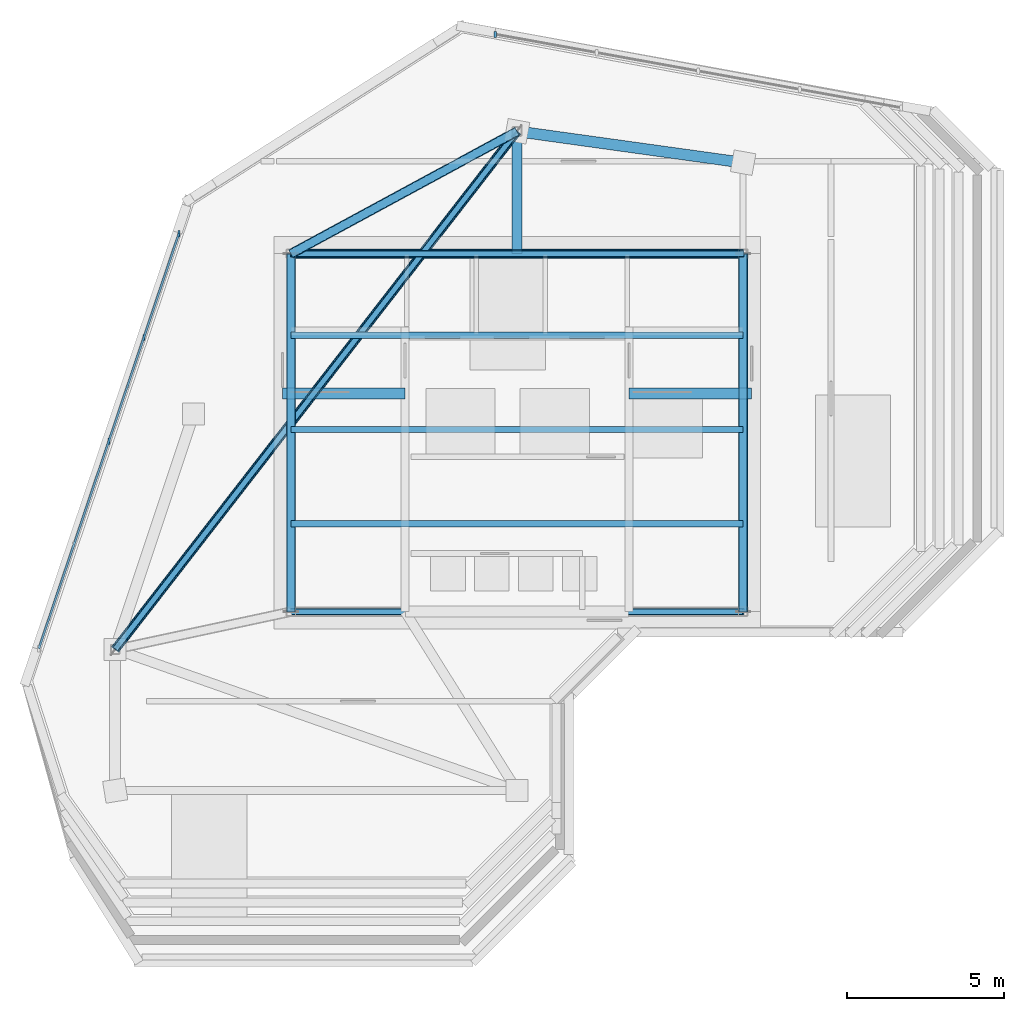
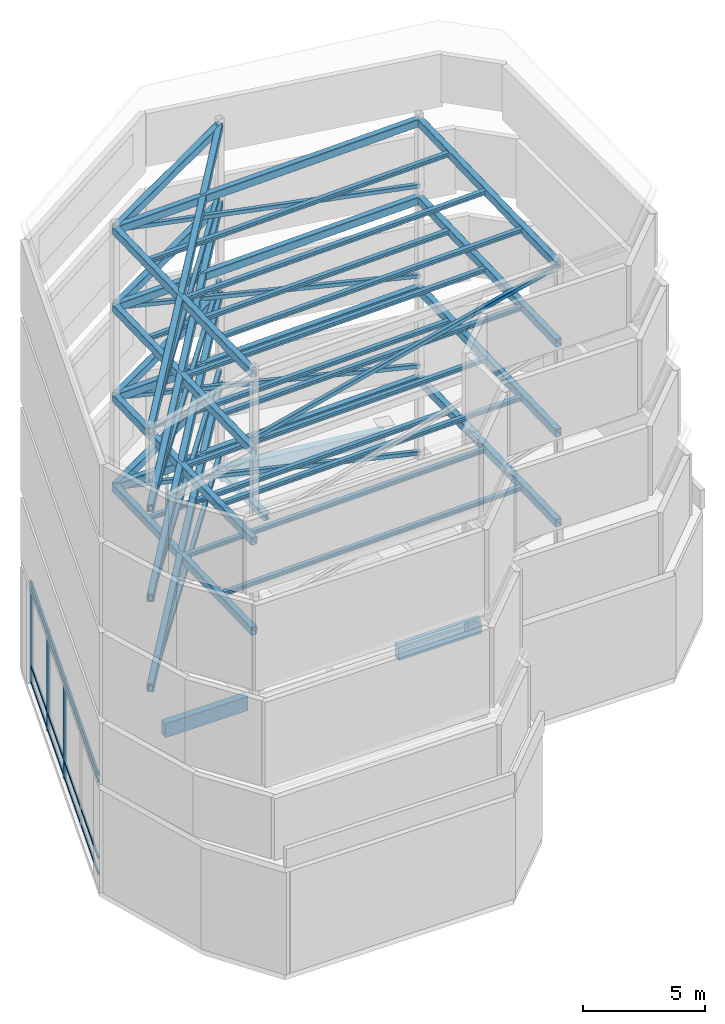
# One storey, part 2 of 9: 29 members, 24 beams, 2 elements without a shape of their own.
"""IFC4 building model written with IfcOpenShell, lengths in metres."""

from ifc_helpers import new_model, si_unit, direction, frame, origin, origin_2d, place, context, subcontext, project, spatial, rectangle, hollow_rectangle, i_section, extrude, source, transform, mapped, material, material_profile, profile_set, type_object, element, aggregate, save


model = new_model("IFC4")

# Units and contexts
model_context = context("Model", 3, precision=1e-05, world=origin(), true_north=direction((0.0, 1.0)))
body_context = subcontext(model_context, "Body", "Model", "MODEL_VIEW")
ifc_project = project(units=[si_unit("LENGTHUNIT", "METRE"), si_unit("AREAUNIT", "SQUARE_METRE"), si_unit("VOLUMEUNIT", "CUBIC_METRE"), si_unit("PLANEANGLEUNIT", "RADIAN"), si_unit("MASSUNIT", "GRAM", prefix="KILO")], contexts=[model_context])

# Site, building, storey
site_placement = place(None, origin())
site = spatial("IfcSite", under=ifc_project, at=site_placement, CompositionType="ELEMENT")
building_placement = place(site_placement, origin())
building = spatial("IfcBuilding", under=site, at=building_placement, Name="Calvemar Wedge Station Tower", CompositionType="ELEMENT")
storey_placement = place(building_placement, frame((0.0, 0.0, 309.5)))
storey = spatial("IfcBuildingStorey", under=building, at=storey_placement, Name="L79", CompositionType="ELEMENT", Elevation=309.5)

# Beams
ifc_material_1 = material(Name="Structural steel ASTM A572 Grade 50", Category="steel")
ifc_material_profile_1 = material_profile(ifc_material_1, i_section(OverallWidth=0.30908203125, OverallDepth=0.322998046875, WebThickness=0.013916015625, FlangeThickness=0.02294921875, FilletRadius=0.014892578125, at=origin_2d()), Name="W310x143")
ifc_profile_set_1 = profile_set([ifc_material_profile_1], Name="Structural steel ASTM A572 Grade 50")
beam_type_1 = type_object("IfcBeamType", Name="BM-J5-W310H", PredefinedType="JOIST", material=ifc_profile_set_1)
shared_shape_1 = source(origin(), body_context, "Body", "SweptSolid", [
    extrude(i_section(OverallWidth=0.30908203125, OverallDepth=0.322998046875, WebThickness=0.013916015625, FlangeThickness=0.02294921875, FilletRadius=0.014892578125, at=origin_2d()), origin(), (0.0, 0.0, 1.0), 3.89990234375),
])
beam_1_placement = place(storey_placement, frame((23.800048828125, 45.60009765625, 4.9384765625), z_axis=(0.0, 1.0, 0.0), x_axis=(-1.0, 0.0, 0.0)))
element("IfcBeam", 1, at=beam_1_placement, inside=storey, type_object=beam_type_1, Name="Storey L79 Core-to-Column Joist CJ-N1", PredefinedType="JOIST", context=body_context, shape_type="MappedRepresentation", body=[
    mapped(shared_shape_1, transform((0.0, 0.0, 0.0), scale=1.0)),
])
ifc_material_2 = material(Name="Concrete C50", Category="concrete")
ifc_material_profile_2 = material_profile(ifc_material_2, rectangle(XDim=0.35009765625, YDim=0.699951171875, at=origin_2d()), Name="RC350x700")
ifc_profile_set_2 = profile_set([ifc_material_profile_2], Name="Concrete C50")
beam_type_2 = type_object("IfcBeamType", Name="BM-SP2-700", PredefinedType="SPANDREL", material=ifc_profile_set_2)
shared_shape_2 = source(origin(), body_context, "Body", "SweptSolid", [
    extrude(rectangle(XDim=0.35009765625, YDim=0.699951171875, at=origin_2d()), origin(), (0.0, 0.0, 1.0), 7.26904296875),
])
beam_2_placement = place(storey_placement, frame((23.800048828125, 49.5, 4.75), z_axis=(0.990492146053, -0.13756928657, 0.0), x_axis=(0.13756928657, 0.990492146053, 0.0)))
element("IfcBeam", 2, at=beam_2_placement, inside=storey, type_object=beam_type_2, Name="Storey L79 Spandrel T-N1-T-N2", PredefinedType="SPANDREL", context=body_context, shape_type="MappedRepresentation", body=[
    mapped(shared_shape_2, transform((0.0, 0.0, 0.0), scale=1.0)),
])
ifc_material_3 = material(Name="Concrete C70", Category="concrete")
ifc_material_profile_3 = material_profile(ifc_material_3, rectangle(XDim=0.35009765625, YDim=0.699951171875, at=origin_2d()), Name="RC350x700")
ifc_profile_set_3 = profile_set([ifc_material_profile_3], Name="Concrete C70")
beam_type_3 = type_object("IfcBeamType", Name="BM-LN1-700", PredefinedType="LINTEL", material=ifc_profile_set_3)
shared_shape_3 = source(origin(), body_context, "Body", "SweptSolid", [
    extrude(rectangle(XDim=0.35009765625, YDim=0.699951171875, at=origin_2d()), origin(), (0.0, 0.0, 1.0), 3.905029296875),
])
beam_3_placement = place(storey_placement, frame((16.324951171875, 41.14990234375, -0.35009765625), z_axis=(1.0, 0.0, 0.0), x_axis=(0.0, 1.0, 0.0)))
element("IfcBeam", 3, at=beam_3_placement, inside=storey, type_object=beam_type_3, Name="Storey L79 Stair ST-C1 Landing Trimmer Beam", PredefinedType="LINTEL", context=body_context, shape_type="MappedRepresentation", body=[
    mapped(shared_shape_3, transform((0.0, 0.0, 0.0), scale=1.0)),
])
shared_shape_4 = source(origin(), body_context, "Body", "SweptSolid", [
    extrude(rectangle(XDim=0.35009765625, YDim=0.699951171875, at=origin_2d()), origin(), (0.0, 0.0, 1.0), 3.90478515625),
])
beam_4_placement = place(storey_placement, frame((27.3701171875, 41.14990234375, -0.35009765625), z_axis=(1.0, 0.0, 0.0), x_axis=(0.0, 1.0, 0.0)))
element("IfcBeam", 4, at=beam_4_placement, inside=storey, type_object=beam_type_3, Name="Storey L79 Stair ST-C2 Landing Trimmer Beam", PredefinedType="LINTEL", context=body_context, shape_type="MappedRepresentation", body=[
    mapped(shared_shape_4, transform((0.0, 0.0, 0.0), scale=1.0)),
])
ifc_material_profile_4 = material_profile(ifc_material_1, hollow_rectangle(XDim=0.300048828125, YDim=0.39990234375, WallThickness=0.02001953125, InnerFilletRadius=0.02001953125, OuterFilletRadius=0.0400390625, at=origin_2d()), Name="HSS400x300x20")
ifc_profile_set_4 = profile_set([ifc_material_profile_4], Name="Structural steel ASTM A572 Grade 50")
beam_type_4 = type_object("IfcBeamType", Name="BM-CROWN-HSS400", PredefinedType="BEAM", material=ifc_profile_set_4)
shared_shape_5 = source(origin(), body_context, "Body", "SweptSolid", [
    extrude(hollow_rectangle(XDim=0.300048828125, YDim=0.39990234375, WallThickness=0.02001953125, InnerFilletRadius=0.02001953125, OuterFilletRadius=0.0400390625, at=origin_2d()), origin(), (0.0, 0.0, 1.0), 14.404541015625),
])
for number, where, z_axis, x_axis, name in (
    (5, (31.0, 45.60009765625, 9.320556640625), (-0.999685759168, 0.0, -0.025067567017), (0.0, -1.0, 0.0), "CROWN FRAME Tier 1 Ring Cap Beam 3"),
    (6, (31.0, 45.60009765625, 13.828369140625), (-0.999672888088, 0.0, -0.025575707642), (0.0, -1.0, 0.0), "CROWN FRAME Tier 2 Ring Cap Beam 3"),
):
    element("IfcBeam", number, at=place(storey_placement, frame(where, z_axis=z_axis, x_axis=x_axis)), inside=storey, type_object=beam_type_4, Name=name, PredefinedType="BEAM", context=body_context, shape_type="MappedRepresentation", body=[
        mapped(shared_shape_5, transform((0.0, 0.0, 0.0), scale=1.0)),
    ])
shared_shape_6 = source(origin(), body_context, "Body", "SweptSolid", [
    extrude(hollow_rectangle(XDim=0.300048828125, YDim=0.39990234375, WallThickness=0.02001953125, InnerFilletRadius=0.02001953125, OuterFilletRadius=0.0400390625, at=origin_2d()), origin(), (0.0, 0.0, 1.0), 11.40380859375),
])
for number, where, z_axis, x_axis, name in (
    (7, (31.0, 34.199951171875, 9.03466796875), (0.0, 0.999685704435, 0.02506974965), (-1.0, 0.0, 0.0), "CROWN FRAME Tier 1 Ring Cap Beam 2"),
    (8, (16.60009765625, 34.199951171875, 8.673583984375), (0.0, 0.999685704435, 0.02506974965), (-1.0, 0.0, 0.0), "CROWN FRAME Tier 1 West Support Girder"),
    (9, (31.0, 34.199951171875, 13.536865234375), (0.0, 0.999673242929, 0.025561834288), (-1.0, 0.0, 0.0), "CROWN FRAME Tier 2 Ring Cap Beam 2"),
    (10, (16.60009765625, 34.199951171875, 13.16845703125), (0.0, 0.999673242929, 0.025561834288), (-1.0, 0.0, 0.0), "CROWN FRAME Tier 2 West Support Girder"),
):
    element("IfcBeam", number, at=place(storey_placement, frame(where, z_axis=z_axis, x_axis=x_axis)), inside=storey, type_object=beam_type_4, Name=name, PredefinedType="BEAM", context=body_context, shape_type="MappedRepresentation", body=[
        mapped(shared_shape_6, transform((0.0, 0.0, 0.0), scale=1.0)),
    ])

# Member
ifc_material_profile_5 = material_profile(ifc_material_1, hollow_rectangle(XDim=0.199951171875, YDim=0.199951171875, WallThickness=0.012451171875, InnerFilletRadius=0.012451171875, OuterFilletRadius=0.02490234375, at=origin_2d()), Name="HSS200x200x12.5")
ifc_profile_set_5 = profile_set([ifc_material_profile_5], Name="Structural steel ASTM A572 Grade 50")
member_type_1 = type_object("IfcMemberType", Name="MEM-CROWN-BR", PredefinedType="BRACE", material=ifc_profile_set_5)
shared_shape_7 = source(origin(), body_context, "Body", "SweptSolid", [
    extrude(hollow_rectangle(XDim=0.199951171875, YDim=0.199951171875, WallThickness=0.012451171875, InnerFilletRadius=0.012451171875, OuterFilletRadius=0.02490234375, at=origin_2d()), origin(), (0.0, 0.0, 1.0), 14.775390625),
])
member_1_placement = place(storey_placement, frame((31.0, 45.60009765625, 5.64990234375), z_axis=(-0.974590763711, 0.0, 0.223992953661), x_axis=(0.0, -1.0, 0.0)))
element("IfcMember", 11, at=member_1_placement, inside=storey, type_object=member_type_1, Name="CROWN FRAME Tier 1 Wind Brace 3", PredefinedType="BRACE", context=body_context, shape_type="MappedRepresentation", body=[
    mapped(shared_shape_7, transform((0.0, 0.0, 0.0), scale=1.0)),
])

# Beams
shared_shape_8 = source(origin(), body_context, "Body", "SweptSolid", [
    extrude(hollow_rectangle(XDim=0.300048828125, YDim=0.39990234375, WallThickness=0.02001953125, InnerFilletRadius=0.02001953125, OuterFilletRadius=0.0400390625, at=origin_2d()), origin(), (0.0, 0.0, 1.0), 8.193115234375),
])
beam_5_placement = place(storey_placement, frame((16.60009765625, 45.60009765625, 8.95947265625), z_axis=(0.878788116304, 0.47600153843, 0.033970311369), x_axis=(-0.47627642498, 0.879295608432, 0.0)))
element("IfcBeam", 12, at=beam_5_placement, inside=storey, type_object=beam_type_4, Name="CROWN FRAME Tier 1 Ring Cap Beam 4", PredefinedType="BEAM", context=body_context, shape_type="MappedRepresentation", body=[
    mapped(shared_shape_8, transform((0.0, 0.0, 0.0), scale=1.0)),
])
shared_shape_9 = source(origin(), body_context, "Body", "SweptSolid", [
    extrude(hollow_rectangle(XDim=0.300048828125, YDim=0.39990234375, WallThickness=0.02001953125, InnerFilletRadius=0.02001953125, OuterFilletRadius=0.0400390625, at=origin_2d()), origin(), (0.0, 0.0, 1.0), 20.895751953125),
])
beam_6_placement = place(storey_placement, frame((23.800048828125, 49.5, 9.23779296875), z_axis=(-0.61256811182, -0.789635569422, -0.035156448692), x_axis=(0.790124007503, -0.612947022807, 0.0)))
element("IfcBeam", 13, at=beam_6_placement, inside=storey, type_object=beam_type_4, Name="CROWN FRAME Tier 1 Ring Cap Beam 5", PredefinedType="BEAM", context=body_context, shape_type="MappedRepresentation", body=[
    mapped(shared_shape_9, transform((0.0, 0.0, 0.0), scale=1.0)),
])

# Members
shared_shape_10 = source(origin(), body_context, "Body", "SweptSolid", [
    extrude(hollow_rectangle(XDim=0.199951171875, YDim=0.199951171875, WallThickness=0.012451171875, InnerFilletRadius=0.012451171875, OuterFilletRadius=0.02490234375, at=origin_2d()), origin(), (0.0, 0.0, 1.0), 21.076904296875),
])
member_2_placement = place(storey_placement, frame((23.800048828125, 49.5, 5.64990234375), z_axis=(-0.607304511068, -0.782850484961, 0.13537484638), x_axis=(0.790124007503, -0.612947022807, 0.0)))
element("IfcMember", 14, at=member_2_placement, inside=storey, type_object=member_type_1, Name="CROWN FRAME Tier 1 Wind Brace 5", PredefinedType="BRACE", context=body_context, shape_type="MappedRepresentation", body=[
    mapped(shared_shape_10, transform((0.0, 0.0, 0.0), scale=1.0)),
])
ifc_material_profile_6 = material_profile(ifc_material_1, i_section(OverallWidth=0.202880859375, OverallDepth=0.202880859375, WebThickness=0.007080078125, FlangeThickness=0.010986328125, FilletRadius=0.010009765625, at=origin_2d()), Name="W200x46.1")
ifc_profile_set_6 = profile_set([ifc_material_profile_6], Name="Structural steel ASTM A572 Grade 50")
member_type_2 = type_object("IfcMemberType", Name="MEM-PR2-W200", PredefinedType="PURLIN", material=ifc_profile_set_6)
shared_shape_11 = source(origin(), body_context, "Body", "SweptSolid", [
    extrude(i_section(OverallWidth=0.202880859375, OverallDepth=0.202880859375, WebThickness=0.007080078125, FlangeThickness=0.010986328125, FilletRadius=0.010009765625, at=origin_2d()), origin(), (0.0, 0.0, 1.0), 14.404541015625),
])
for number, where, z_axis, x_axis, name in (
    (15, (16.60009765625, 37.0, 8.80224609375), (0.999685759168, 0.0, 0.025067567017), (0.0, 1.0, 0.0), "Crown Tier 1 Roof Steel Purlin 1"),
    (16, (16.60009765625, 40.0, 8.87744140625), (0.999685334288, 0.0, 0.025084505353), (0.0, 1.0, 0.0), "Crown Tier 1 Roof Steel Purlin 2"),
    (17, (16.60009765625, 43.0, 8.952880859375), (0.999685759168, 0.0, 0.025067567017), (0.0, 1.0, 0.0), "Crown Tier 1 Roof Steel Purlin 3"),
    (18, (16.60009765625, 37.0, 13.298583984375), (0.999672888088, 0.0, 0.025575707642), (0.0, 1.0, 0.0), "Crown Tier 2 Roof Steel Purlin 1"),
    (19, (16.60009765625, 40.0, 13.375244140625), (0.999672888088, 0.0, 0.025575707642), (0.0, 1.0, 0.0), "Crown Tier 2 Roof Steel Purlin 2"),
    (20, (16.60009765625, 43.0, 13.4521484375), (0.99967332128, 0.0, 0.025558769938), (0.0, 1.0, 0.0), "Crown Tier 2 Roof Steel Purlin 3"),
):
    element("IfcMember", number, at=place(storey_placement, frame(where, z_axis=z_axis, x_axis=x_axis)), inside=storey, type_object=member_type_2, Name=name, PredefinedType="PURLIN", context=body_context, shape_type="MappedRepresentation", body=[
        mapped(shared_shape_11, transform((0.0, 0.0, 0.0), scale=1.0)),
    ])
shared_shape_12 = source(origin(), body_context, "Body", "SweptSolid", [
    extrude(hollow_rectangle(XDim=0.199951171875, YDim=0.199951171875, WallThickness=0.012451171875, InnerFilletRadius=0.012451171875, OuterFilletRadius=0.02490234375, at=origin_2d()), origin(), (0.0, 0.0, 1.0), 14.81201171875),
])
member_3_placement = place(storey_placement, frame((31.0, 45.60009765625, 9.990478515625), z_axis=(-0.972180001344, 0.0, 0.234235020839), x_axis=(0.0, -1.0, 0.0)))
element("IfcMember", 21, at=member_3_placement, inside=storey, type_object=member_type_1, Name="CROWN FRAME Tier 2 Wind Brace 3", PredefinedType="BRACE", context=body_context, shape_type="MappedRepresentation", body=[
    mapped(shared_shape_12, transform((0.0, 0.0, 0.0), scale=1.0)),
])

# Beams
shared_shape_13 = source(origin(), body_context, "Body", "SweptSolid", [
    extrude(hollow_rectangle(XDim=0.300048828125, YDim=0.39990234375, WallThickness=0.02001953125, InnerFilletRadius=0.02001953125, OuterFilletRadius=0.0400390625, at=origin_2d()), origin(), (0.0, 0.0, 1.0), 8.193359375),
])
for number, where, z_axis, x_axis, name in (
    (22, (16.60009765625, 45.60009765625, 13.4599609375), (0.878767450611, 0.475990344717, 0.034654862333), (-0.47627642498, 0.879295608432, 0.0), "CROWN FRAME Tier 2 Ring Cap Beam 4"),
    (23, (16.60009765625, 45.60009765625, 17.960693359375), (0.878746373643, 0.475978928235, 0.035339364523), (-0.47627642498, 0.879295608432, 0.0), "CROWN FRAME Tier 3 Ring Cap Beam 4"),
):
    element("IfcBeam", number, at=place(storey_placement, frame(where, z_axis=z_axis, x_axis=x_axis)), inside=storey, type_object=beam_type_4, Name=name, PredefinedType="BEAM", context=body_context, shape_type="MappedRepresentation", body=[
        mapped(shared_shape_13, transform((0.0, 0.0, 0.0), scale=1.0)),
    ])
shared_shape_14 = source(origin(), body_context, "Body", "SweptSolid", [
    extrude(hollow_rectangle(XDim=0.300048828125, YDim=0.39990234375, WallThickness=0.02001953125, InnerFilletRadius=0.02001953125, OuterFilletRadius=0.0400390625, at=origin_2d()), origin(), (0.0, 0.0, 1.0), 20.896240234375),
])
beam_7_placement = place(storey_placement, frame((23.800048828125, 49.5, 13.743896484375), z_axis=(-0.612552864773, -0.789615915101, -0.035856582082), x_axis=(0.790124007503, -0.612947022807, 0.0)))
element("IfcBeam", 24, at=beam_7_placement, inside=storey, type_object=beam_type_4, Name="CROWN FRAME Tier 2 Ring Cap Beam 5", PredefinedType="BEAM", context=body_context, shape_type="MappedRepresentation", body=[
    mapped(shared_shape_14, transform((0.0, 0.0, 0.0), scale=1.0)),
])

# Member
shared_shape_15 = source(origin(), body_context, "Body", "SweptSolid", [
    extrude(hollow_rectangle(XDim=0.199951171875, YDim=0.199951171875, WallThickness=0.012451171875, InnerFilletRadius=0.012451171875, OuterFilletRadius=0.02490234375, at=origin_2d()), origin(), (0.0, 0.0, 1.0), 21.109619140625),
])
member_4_placement = place(storey_placement, frame((23.800048828125, 49.5, 9.90771484375), z_axis=(-0.606358051418, -0.781630443972, 0.146231879344), x_axis=(0.790124007503, -0.612947022807, 0.0)))
element("IfcMember", 25, at=member_4_placement, inside=storey, type_object=member_type_1, Name="CROWN FRAME Tier 2 Wind Brace 5", PredefinedType="BRACE", context=body_context, shape_type="MappedRepresentation", body=[
    mapped(shared_shape_15, transform((0.0, 0.0, 0.0), scale=1.0)),
])

# Beams
shared_shape_16 = source(origin(), body_context, "Body", "SweptSolid", [
    extrude(hollow_rectangle(XDim=0.300048828125, YDim=0.39990234375, WallThickness=0.02001953125, InnerFilletRadius=0.02001953125, OuterFilletRadius=0.0400390625, at=origin_2d()), origin(), (0.0, 0.0, 1.0), 14.40478515625),
])
beam_8_placement = place(storey_placement, frame((31.0, 45.60009765625, 18.33642578125), z_axis=(-0.999659759065, 0.0, -0.026083828443), x_axis=(0.0, -1.0, 0.0)))
element("IfcBeam", 26, at=beam_8_placement, inside=storey, type_object=beam_type_4, Name="CROWN FRAME Tier 3 Ring Cap Beam 3", PredefinedType="BEAM", context=body_context, shape_type="MappedRepresentation", body=[
    mapped(shared_shape_16, transform((0.0, 0.0, 0.0), scale=1.0)),
])
shared_shape_17 = source(origin(), body_context, "Body", "SweptSolid", [
    extrude(hollow_rectangle(XDim=0.300048828125, YDim=0.39990234375, WallThickness=0.02001953125, InnerFilletRadius=0.02001953125, OuterFilletRadius=0.0400390625, at=origin_2d()), origin(), (0.0, 0.0, 1.0), 11.404052734375),
])
for number, where, z_axis, x_axis, name in (
    (27, (31.0, 34.199951171875, 18.0390625), (0.0, 0.999659981713, 0.026075294094), (-1.0, 0.0, 0.0), "CROWN FRAME Tier 3 Ring Cap Beam 2"),
    (28, (16.60009765625, 34.199951171875, 17.663330078125), (0.0, 0.999659981713, 0.026075294094), (-1.0, 0.0, 0.0), "CROWN FRAME Tier 3 West Support Girder"),
):
    element("IfcBeam", number, at=place(storey_placement, frame(where, z_axis=z_axis, x_axis=x_axis)), inside=storey, type_object=beam_type_4, Name=name, PredefinedType="BEAM", context=body_context, shape_type="MappedRepresentation", body=[
        mapped(shared_shape_17, transform((0.0, 0.0, 0.0), scale=1.0)),
    ])

# Member
shared_shape_18 = source(origin(), body_context, "Body", "SweptSolid", [
    extrude(hollow_rectangle(XDim=0.199951171875, YDim=0.199951171875, WallThickness=0.012451171875, InnerFilletRadius=0.012451171875, OuterFilletRadius=0.02490234375, at=origin_2d()), origin(), (0.0, 0.0, 1.0), 14.810302734375),
])
member_5_placement = place(storey_placement, frame((31.0, 45.60009765625, 14.498291015625), z_axis=(-0.972288757341, 0.0, 0.233783173792), x_axis=(0.0, -1.0, 0.0)))
element("IfcMember", 29, at=member_5_placement, inside=storey, type_object=member_type_1, Name="CROWN FRAME Tier 3 Wind Brace 3", PredefinedType="BRACE", context=body_context, shape_type="MappedRepresentation", body=[
    mapped(shared_shape_18, transform((0.0, 0.0, 0.0), scale=1.0)),
])

# Beam
shared_shape_19 = source(origin(), body_context, "Body", "SweptSolid", [
    extrude(hollow_rectangle(XDim=0.300048828125, YDim=0.39990234375, WallThickness=0.02001953125, InnerFilletRadius=0.02001953125, OuterFilletRadius=0.0400390625, at=origin_2d()), origin(), (0.0, 0.0, 1.0), 20.896728515625),
])
beam_9_placement = place(storey_placement, frame((23.800048828125, 49.5, 18.250244140625), z_axis=(-0.612536794477, -0.789595199564, -0.036579997778), x_axis=(0.790124007503, -0.612947022807, 0.0)))
element("IfcBeam", 30, at=beam_9_placement, inside=storey, type_object=beam_type_4, Name="CROWN FRAME Tier 3 Ring Cap Beam 5", PredefinedType="BEAM", context=body_context, shape_type="MappedRepresentation", body=[
    mapped(shared_shape_19, transform((0.0, 0.0, 0.0), scale=1.0)),
])

# Members
shared_shape_20 = source(origin(), body_context, "Body", "SweptSolid", [
    extrude(hollow_rectangle(XDim=0.199951171875, YDim=0.199951171875, WallThickness=0.012451171875, InnerFilletRadius=0.012451171875, OuterFilletRadius=0.02490234375, at=origin_2d()), origin(), (0.0, 0.0, 1.0), 21.107421875),
])
member_6_placement = place(storey_placement, frame((23.800048828125, 49.5, 14.4140625), z_axis=(-0.606421485481, -0.781712214132, 0.145530052649), x_axis=(0.790124007503, -0.612947022807, 0.0)))
element("IfcMember", 31, at=member_6_placement, inside=storey, type_object=member_type_1, Name="CROWN FRAME Tier 3 Wind Brace 5", PredefinedType="BRACE", context=body_context, shape_type="MappedRepresentation", body=[
    mapped(shared_shape_20, transform((0.0, 0.0, 0.0), scale=1.0)),
])
shared_shape_21 = source(origin(), body_context, "Body", "SweptSolid", [
    extrude(i_section(OverallWidth=0.202880859375, OverallDepth=0.202880859375, WebThickness=0.007080078125, FlangeThickness=0.010986328125, FilletRadius=0.010009765625, at=origin_2d()), origin(), (0.0, 0.0, 1.0), 14.40478515625),
])
for number, where, z_axis, x_axis, name in (
    (32, (16.60009765625, 37.0, 17.794677734375), (0.999659759065, 0.0, 0.026083828443), (0.0, 1.0, 0.0), "Crown Tier 3 Roof Steel Purlin 1"),
    (33, (16.60009765625, 40.0, 17.873046875), (0.999659759065, 0.0, 0.026083828443), (0.0, 1.0, 0.0), "Crown Tier 3 Roof Steel Purlin 2"),
    (34, (16.60009765625, 43.0, 17.951416015625), (0.999659759065, 0.0, 0.026083828443), (0.0, 1.0, 0.0), "Crown Tier 3 Roof Steel Purlin 3"),
):
    element("IfcMember", number, at=place(storey_placement, frame(where, z_axis=z_axis, x_axis=x_axis)), inside=storey, type_object=member_type_2, Name=name, PredefinedType="PURLIN", context=body_context, shape_type="MappedRepresentation", body=[
        mapped(shared_shape_21, transform((0.0, 0.0, 0.0), scale=1.0)),
    ])

# Beam
shared_shape_22 = source(origin(), body_context, "Body", "SweptSolid", [
    extrude(hollow_rectangle(XDim=0.300048828125, YDim=0.39990234375, WallThickness=0.02001953125, InnerFilletRadius=0.02001953125, OuterFilletRadius=0.0400390625, at=origin_2d()), origin(), (0.0, 0.0, 1.0), 14.405029296875),
])
beam_10_placement = place(storey_placement, frame((31.0, 45.60009765625, 22.224853515625), z_axis=(-0.999645470497, 0.0, -0.026625801671), x_axis=(0.0, -1.0, 0.0)))
element("IfcBeam", 35, at=beam_10_placement, inside=storey, type_object=beam_type_4, Name="CROWN FRAME Tier 4 Ring Cap Beam 3", PredefinedType="BEAM", context=body_context, shape_type="MappedRepresentation", body=[
    mapped(shared_shape_22, transform((0.0, 0.0, 0.0), scale=1.0)),
])

# Member
shared_shape_23 = source(origin(), body_context, "Body", "SweptSolid", [
    extrude(hollow_rectangle(XDim=0.199951171875, YDim=0.199951171875, WallThickness=0.012451171875, InnerFilletRadius=0.012451171875, OuterFilletRadius=0.02490234375, at=origin_2d()), origin(), (0.0, 0.0, 1.0), 14.840087890625),
])
member_7_placement = place(storey_placement, frame((16.60009765625, 34.199951171875, 18.333251953125), z_axis=(0.970333807288, 0.0, 0.241769109761), x_axis=(0.0, 1.0, 0.0)))
element("IfcMember", 36, at=member_7_placement, inside=storey, type_object=member_type_1, Name="CROWN FRAME Tier 4 Wind Brace 1", PredefinedType="BRACE", context=body_context, shape_type="MappedRepresentation", body=[
    mapped(shared_shape_23, transform((0.0, 0.0, 0.0), scale=1.0)),
])

# Beams
shared_shape_24 = source(origin(), body_context, "Body", "SweptSolid", [
    extrude(hollow_rectangle(XDim=0.300048828125, YDim=0.39990234375, WallThickness=0.02001953125, InnerFilletRadius=0.02001953125, OuterFilletRadius=0.0400390625, at=origin_2d()), origin(), (0.0, 0.0, 1.0), 11.404296875),
])
for number, where, z_axis, x_axis, name in (
    (37, (31.0, 34.199951171875, 21.921142578125), (0.0, 0.9996453182, 0.026631518917), (-1.0, 0.0, 0.0), "CROWN FRAME Tier 4 Ring Cap Beam 2"),
    (38, (16.60009765625, 34.199951171875, 21.537841796875), (0.0, 0.999645887897, 0.026610126109), (-1.0, 0.0, 0.0), "CROWN FRAME Tier 4 West Support Girder"),
):
    element("IfcBeam", number, at=place(storey_placement, frame(where, z_axis=z_axis, x_axis=x_axis)), inside=storey, type_object=beam_type_4, Name=name, PredefinedType="BEAM", context=body_context, shape_type="MappedRepresentation", body=[
        mapped(shared_shape_24, transform((0.0, 0.0, 0.0), scale=1.0)),
    ])

# Member
shared_shape_25 = source(origin(), body_context, "Body", "SweptSolid", [
    extrude(hollow_rectangle(XDim=0.199951171875, YDim=0.199951171875, WallThickness=0.012451171875, InnerFilletRadius=0.012451171875, OuterFilletRadius=0.02490234375, at=origin_2d()), origin(), (0.0, 0.0, 1.0), 14.67626953125),
])
member_8_placement = place(storey_placement, frame((31.0, 45.60009765625, 19.00634765625), z_axis=(-0.981166142754, 0.0, 0.19316573276), x_axis=(0.0, -1.0, 0.0)))
element("IfcMember", 39, at=member_8_placement, inside=storey, type_object=member_type_1, Name="CROWN FRAME Tier 4 Wind Brace 3", PredefinedType="BRACE", context=body_context, shape_type="MappedRepresentation", body=[
    mapped(shared_shape_25, transform((0.0, 0.0, 0.0), scale=1.0)),
])

# Beams
shared_shape_26 = source(origin(), body_context, "Body", "SweptSolid", [
    extrude(hollow_rectangle(XDim=0.300048828125, YDim=0.39990234375, WallThickness=0.02001953125, InnerFilletRadius=0.02001953125, OuterFilletRadius=0.0400390625, at=origin_2d()), origin(), (0.0, 0.0, 1.0), 8.193603515625),
])
beam_11_placement = place(storey_placement, frame((16.60009765625, 45.60009765625, 21.84130859375), z_axis=(0.878722997527, 0.475966266403, 0.036083332203), x_axis=(-0.47627642498, 0.879295608432, 0.0)))
element("IfcBeam", 40, at=beam_11_placement, inside=storey, type_object=beam_type_4, Name="CROWN FRAME Tier 4 Ring Cap Beam 4", PredefinedType="BEAM", context=body_context, shape_type="MappedRepresentation", body=[
    mapped(shared_shape_26, transform((0.0, 0.0, 0.0), scale=1.0)),
])
shared_shape_27 = source(origin(), body_context, "Body", "SweptSolid", [
    extrude(hollow_rectangle(XDim=0.300048828125, YDim=0.39990234375, WallThickness=0.02001953125, InnerFilletRadius=0.02001953125, OuterFilletRadius=0.0400390625, at=origin_2d()), origin(), (0.0, 0.0, 1.0), 20.8974609375),
])
beam_12_placement = place(storey_placement, frame((23.800048828125, 49.5, 22.136962890625), z_axis=(-0.612519602877, -0.789573038601, -0.037338355696), x_axis=(0.790124007503, -0.612947022807, 0.0)))
element("IfcBeam", 41, at=beam_12_placement, inside=storey, type_object=beam_type_4, Name="CROWN FRAME Tier 4 Ring Cap Beam 5", PredefinedType="BEAM", context=body_context, shape_type="MappedRepresentation", body=[
    mapped(shared_shape_27, transform((0.0, 0.0, 0.0), scale=1.0)),
])

# Members
shared_shape_28 = source(origin(), body_context, "Body", "SweptSolid", [
    extrude(hollow_rectangle(XDim=0.199951171875, YDim=0.199951171875, WallThickness=0.012451171875, InnerFilletRadius=0.012451171875, OuterFilletRadius=0.02490234375, at=origin_2d()), origin(), (0.0, 0.0, 1.0), 21.0244140625),
])
member_9_placement = place(storey_placement, frame((23.800048828125, 49.5, 18.92041015625), z_axis=(-0.608817842117, -0.784801255824, 0.115878487983), x_axis=(0.790124007503, -0.612947022807, 0.0)))
element("IfcMember", 42, at=member_9_placement, inside=storey, type_object=member_type_1, Name="CROWN FRAME Tier 4 Wind Brace 5", PredefinedType="BRACE", context=body_context, shape_type="MappedRepresentation", body=[
    mapped(shared_shape_28, transform((0.0, 0.0, 0.0), scale=1.0)),
])
shared_shape_29 = source(origin(), body_context, "Body", "SweptSolid", [
    extrude(i_section(OverallWidth=0.202880859375, OverallDepth=0.202880859375, WebThickness=0.007080078125, FlangeThickness=0.010986328125, FilletRadius=0.010009765625, at=origin_2d()), origin(), (0.0, 0.0, 1.0), 14.405029296875),
])
for number, where, z_axis, x_axis, name in (
    (43, (16.60009765625, 37.0, 21.6708984375), (0.999645921456, 0.0, 0.02660886536), (0.0, 1.0, 0.0), "Crown Tier 4 Roof Steel Purlin 1"),
    (44, (16.60009765625, 40.0, 21.750732421875), (0.999645470497, 0.0, 0.026625801671), (0.0, 1.0, 0.0), "Crown Tier 4 Roof Steel Purlin 2"),
    (45, (16.60009765625, 43.0, 21.83056640625), (0.999645470497, 0.0, 0.026625801671), (0.0, 1.0, 0.0), "Crown Tier 4 Roof Steel Purlin 3"),
):
    element("IfcMember", number, at=place(storey_placement, frame(where, z_axis=z_axis, x_axis=x_axis)), inside=storey, type_object=member_type_2, Name=name, PredefinedType="PURLIN", context=body_context, shape_type="MappedRepresentation", body=[
        mapped(shared_shape_29, transform((0.0, 0.0, 0.0), scale=1.0)),
    ])

# Curtain wall, member
ifc_material_4 = material(Name="Anodised aluminium 6063-T6", Category="aluminium")
curtain_wall_type = type_object("IfcCurtainWallType", Name="CW4", PredefinedType="NOTDEFINED", material=ifc_material_4)
curtain_wall_1_placement = place(storey_placement, origin())
curtain_wall_1 = element("IfcCurtainWall", 46, at=curtain_wall_1_placement, inside=storey, type_object=curtain_wall_type, Name="Storey L79 CW4 Recessed Unitised Curtain Wall 10", PredefinedType="NOTDEFINED")
ifc_material_profile_7 = material_profile(ifc_material_4, rectangle(XDim=0.070068359375, YDim=0.199951171875, at=origin_2d()), Name="AL-MUL-70x200")
ifc_profile_set_7 = profile_set([ifc_material_profile_7], Name="Anodised aluminium 6063-T6")
member_type_3 = type_object("IfcMemberType", Name="CW4-MUL", PredefinedType="MULLION", material=ifc_profile_set_7)
shared_shape_30 = source(origin(), body_context, "Body", "SweptSolid", [
    extrude(rectangle(XDim=0.070068359375, YDim=0.199951171875, at=origin_2d()), origin(), (0.0, 0.0, 1.0), 5.150146484375),
])
member_10_placement = place(storey_placement, frame((23.102783203125, 52.5869140625, -0.050048828125), z_axis=(0.0, 0.0, 1.0), x_axis=(1.0, 0.0, 0.0)))
member_10 = element("IfcMember", 47, at=member_10_placement, type_object=member_type_3, Name="CW4 mullion 5", PredefinedType="MULLION", context=body_context, shape_type="MappedRepresentation", body=[
    mapped(shared_shape_30, transform((0.0, 0.0, 0.0), scale=1.0)),
])
aggregate(curtain_wall_1, [member_10])

# Curtain wall, members
curtain_wall_2_placement = place(storey_placement, origin())
curtain_wall_2 = element("IfcCurtainWall", 48, at=curtain_wall_2_placement, inside=storey, type_object=curtain_wall_type, Name="Storey L79 CW4 Recessed Unitised Curtain Wall 12", PredefinedType="NOTDEFINED")
member_11_placement = place(storey_placement, frame((13.030029296875, 46.240478515625, -0.050048828125), z_axis=(0.0, 0.0, 1.0), x_axis=(1.0, 0.0, 0.0)))
member_11 = element("IfcMember", 49, at=member_11_placement, type_object=member_type_3, Name="CW4 mullion 1", PredefinedType="MULLION", context=body_context, shape_type="MappedRepresentation", body=[
    mapped(shared_shape_30, transform((0.0, 0.0, 0.0), scale=1.0)),
])
member_12_placement = place(storey_placement, frame((11.9140625, 42.93505859375, -0.050048828125), z_axis=(0.0, 0.0, 1.0), x_axis=(1.0, 0.0, 0.0)))
member_12 = element("IfcMember", 50, at=member_12_placement, type_object=member_type_3, Name="CW4 mullion 2", PredefinedType="MULLION", context=body_context, shape_type="MappedRepresentation", body=[
    mapped(shared_shape_30, transform((0.0, 0.0, 0.0), scale=1.0)),
])
member_13_placement = place(storey_placement, frame((10.7978515625, 39.62939453125, -0.050048828125), z_axis=(0.0, 0.0, 1.0), x_axis=(1.0, 0.0, 0.0)))
member_13 = element("IfcMember", 51, at=member_13_placement, type_object=member_type_3, Name="CW4 mullion 3", PredefinedType="MULLION", context=body_context, shape_type="MappedRepresentation", body=[
    mapped(shared_shape_30, transform((0.0, 0.0, 0.0), scale=1.0)),
])
ifc_material_profile_8 = material_profile(ifc_material_4, rectangle(XDim=0.070068359375, YDim=0.139892578125, at=origin_2d()), Name="AL-TRN-70x140")
ifc_profile_set_8 = profile_set([ifc_material_profile_8], Name="Anodised aluminium 6063-T6")
member_type_4 = type_object("IfcMemberType", Name="CW4-TRN", PredefinedType="USERDEFINED", material=ifc_profile_set_8)
shared_shape_31 = source(origin(), body_context, "Body", "SweptSolid", [
    extrude(rectangle(XDim=0.070068359375, YDim=0.139892578125, at=origin_2d()), origin(), (0.0, 0.0, 1.0), 13.955322265625),
])
member_14_placement = place(storey_placement, frame((13.030029296875, 46.240478515625, 0.06005859375), z_axis=(-0.319904482005, -0.947449799405, 0.0), x_axis=(0.947449799405, -0.319904482005, 0.0)))
member_14 = element("IfcMember", 52, at=member_14_placement, type_object=member_type_4, Name="CW4 transom 1", ObjectType="TRANSOM", PredefinedType="USERDEFINED", context=body_context, shape_type="MappedRepresentation", body=[
    mapped(shared_shape_31, transform((0.0, 0.0, 0.0), scale=1.0)),
])
member_15_placement = place(storey_placement, frame((13.030029296875, 46.240478515625, 0.85009765625), z_axis=(-0.319904482005, -0.947449799405, 0.0), x_axis=(0.947449799405, -0.319904482005, 0.0)))
member_15 = element("IfcMember", 53, at=member_15_placement, type_object=member_type_4, Name="CW4 transom 2", ObjectType="TRANSOM", PredefinedType="USERDEFINED", context=body_context, shape_type="MappedRepresentation", body=[
    mapped(shared_shape_31, transform((0.0, 0.0, 0.0), scale=1.0)),
])
member_16_placement = place(storey_placement, frame((13.030029296875, 46.240478515625, 4.64990234375), z_axis=(-0.319904482005, -0.947449799405, 0.0), x_axis=(0.947449799405, -0.319904482005, 0.0)))
member_16 = element("IfcMember", 54, at=member_16_placement, type_object=member_type_4, Name="CW4 transom 3", ObjectType="TRANSOM", PredefinedType="USERDEFINED", context=body_context, shape_type="MappedRepresentation", body=[
    mapped(shared_shape_31, transform((0.0, 0.0, 0.0), scale=1.0)),
])
member_17_placement = place(storey_placement, frame((13.030029296875, 46.240478515625, 5.0400390625), z_axis=(-0.319904482005, -0.947449799405, 0.0), x_axis=(0.947449799405, -0.319904482005, 0.0)))
member_17 = element("IfcMember", 55, at=member_17_placement, type_object=member_type_4, Name="CW4 transom 4", ObjectType="TRANSOM", PredefinedType="USERDEFINED", context=body_context, shape_type="MappedRepresentation", body=[
    mapped(shared_shape_31, transform((0.0, 0.0, 0.0), scale=1.0)),
])
aggregate(curtain_wall_2, [member_11, member_12, member_13, member_14, member_15, member_16, member_17])

save(model, "model.ifc")
